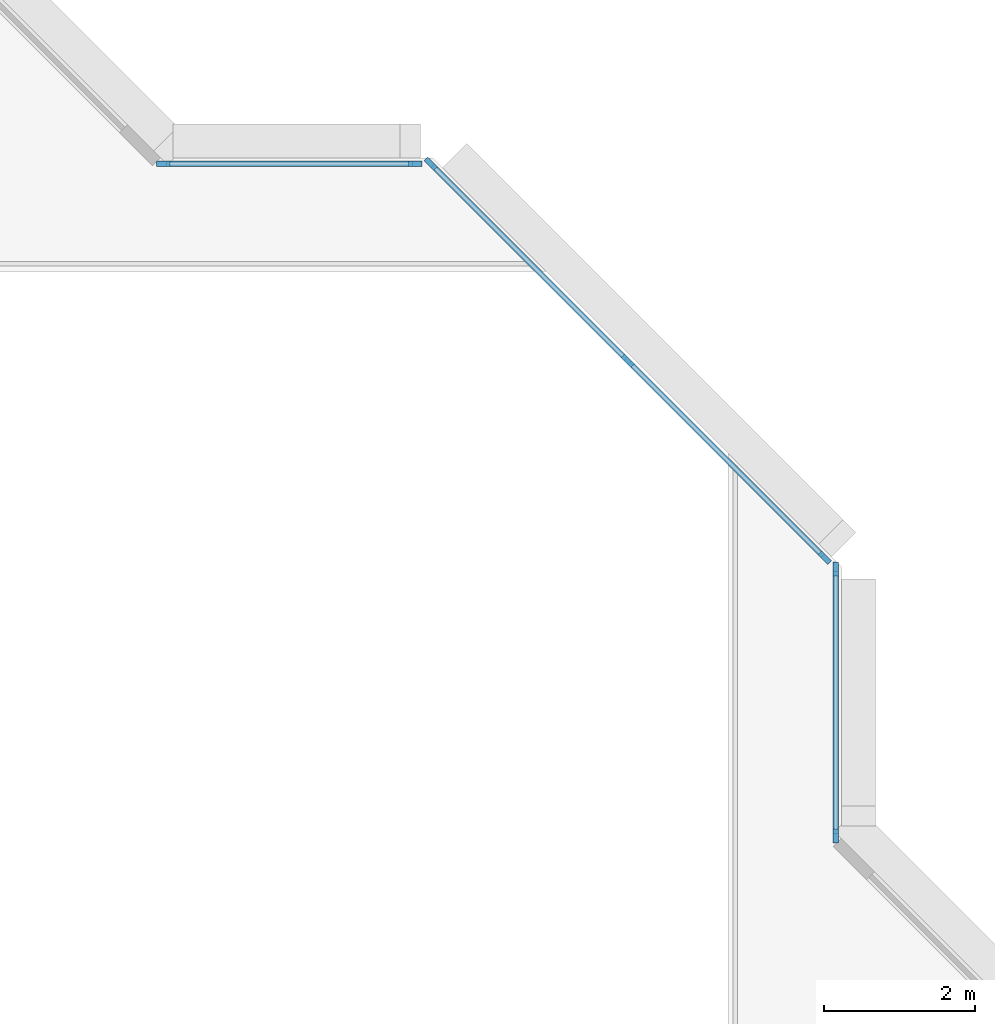
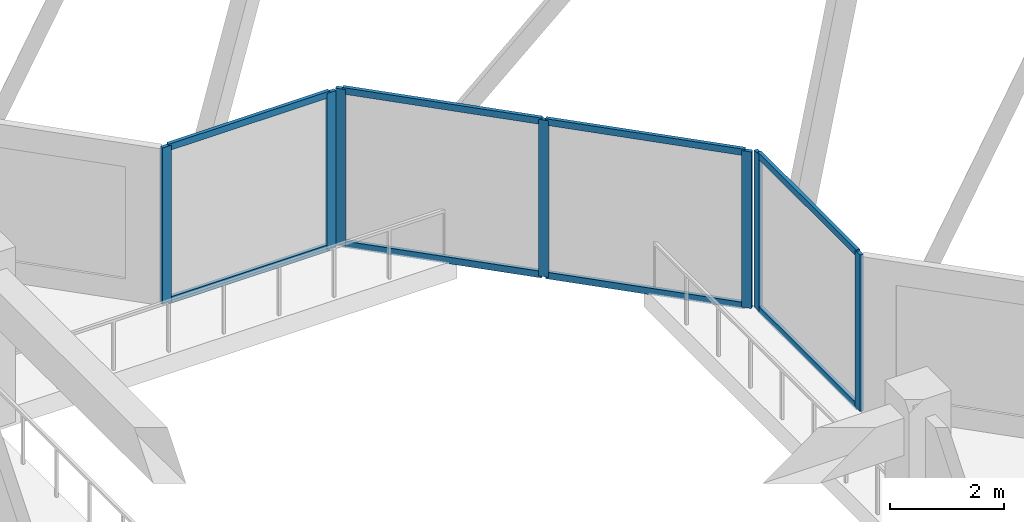
# One storey, part 2 of 14: 15 members, 3 elements without a shape of their own.
"""IFC4 building model written with IfcOpenShell, lengths in metres."""

from ifc_helpers import new_model, si_unit, direction, frame, origin, origin_2d, place, context, subcontext, project, spatial, rectangle, extrude, material, layer, layer_set, material_profile, profile_set, type_object, element, aggregate, save


model = new_model("IFC4")

# Units and contexts
model_context = context("Model", 3, precision=1e-05, world=origin(), true_north=direction((0.0, 1.0)))
body_context = subcontext(model_context, "Body", "Model", "MODEL_VIEW")
ifc_project = project(units=[si_unit("LENGTHUNIT", "METRE"), si_unit("AREAUNIT", "SQUARE_METRE"), si_unit("VOLUMEUNIT", "CUBIC_METRE"), si_unit("PLANEANGLEUNIT", "RADIAN"), si_unit("MASSUNIT", "GRAM", prefix="KILO")], contexts=[model_context])

# Site, building, storey
site_placement = place(None, origin())
site = spatial("IfcSite", under=ifc_project, at=site_placement, CompositionType="ELEMENT")
building_placement = place(site_placement, origin())
building = spatial("IfcBuilding", under=site, at=building_placement, Name="Chenar Terraces", CompositionType="ELEMENT")
storey_placement = place(building_placement, frame((0.0, 0.0, 234.14990234375)))
storey = spatial("IfcBuildingStorey", under=building, at=storey_placement, Name="L55", CompositionType="ELEMENT", Elevation=234.14990234375)

# Curtain wall, members
ifc_material_1 = material(Name="Aluminium framed glazing", Category="aluminium")
ifc_layer = layer(ifc_material_1, 0.14990234375)
ifc_layer_set = layer_set([ifc_layer], Name="Aluminium framed glazing")
curtain_wall_type = type_object("IfcCurtainWallType", Name="Atrium mid-zone curtain wall", PredefinedType="NOTDEFINED", material=ifc_layer_set)
placement = place(storey_placement, origin())
curtain_wall_1 = element("IfcCurtainWall", 1, at=placement, inside=storey, type_object=curtain_wall_type, Name="Atrium mid-zone curtain wall", PredefinedType="NOTDEFINED")
ifc_material_2 = material(Name="Aluminium", Category="aluminium")
ifc_material_profile_1 = material_profile(ifc_material_2, rectangle(XDim=0.070068359375, YDim=0.179931640625, at=origin_2d()), Name="Atrium mid-zone glazing mullion 70 x 180")
ifc_profile_set_1 = profile_set([ifc_material_profile_1], Name="Aluminium")
member_type_1 = type_object("IfcMemberType", Name="Atrium mid-zone glazing mullion 70 x 180", PredefinedType="MULLION", material=ifc_profile_set_1)
member_1_placement = place(storey_placement, frame((37.425048828125, 28.534912109375, 0.0), z_axis=(0.0, 0.0, 1.0), x_axis=(-1.0, 0.0, 0.0)))
member_1 = element("IfcMember", 2, at=member_1_placement, type_object=member_type_1, Name="CW7-1 mullion 1", PredefinedType="MULLION", context=body_context, shape_type="SweptSolid", body=[
    extrude(rectangle(XDim=0.070068359375, YDim=0.179931640625, at=origin_2d()), origin(), (0.0, 0.0, 1.0), 3.35009765625),
])
member_2_placement = place(storey_placement, frame((37.425048828125, 32.06494140625, 0.0), z_axis=(0.0, 0.0, 1.0), x_axis=(-1.0, 0.0, 0.0)))
member_2 = element("IfcMember", 3, at=member_2_placement, type_object=member_type_1, Name="CW7-1 mullion 2", PredefinedType="MULLION", context=body_context, shape_type="SweptSolid", body=[
    extrude(rectangle(XDim=0.070068359375, YDim=0.179931640625, at=origin_2d()), origin(), (0.0, 0.0, 1.0), 3.35009765625),
])

curtain_wall_2 = element("IfcCurtainWall", 4, at=placement, inside=storey, type_object=curtain_wall_type, Name="Atrium mid-zone curtain wall", PredefinedType="NOTDEFINED")
member_3_placement = place(storey_placement, frame((37.28076171875, 32.213134765625, 0.0), z_axis=(0.0, 0.0, 1.0), x_axis=(-0.707106781187, -0.707106781187, 0.0)))
member_3 = element("IfcMember", 5, at=member_3_placement, type_object=member_type_1, Name="CW7-2 mullion 1", PredefinedType="MULLION", context=body_context, shape_type="SweptSolid", body=[
    extrude(rectangle(XDim=0.070068359375, YDim=0.179931640625, at=origin_2d()), origin(), (0.0, 0.0, 1.0), 3.35009765625),
])
member_4_placement = place(storey_placement, frame((34.67626953125, 34.817626953125, 0.0), z_axis=(0.0, 0.0, 1.0), x_axis=(-0.707106781187, -0.707106781187, 0.0)))
member_4 = element("IfcMember", 6, at=member_4_placement, type_object=member_type_1, Name="CW7-2 mullion 2", PredefinedType="MULLION", context=body_context, shape_type="SweptSolid", body=[
    extrude(rectangle(XDim=0.070068359375, YDim=0.179931640625, at=origin_2d()), origin(), (0.0, 0.0, 1.0), 3.35009765625),
])
member_5_placement = place(storey_placement, frame((32.07177734375, 37.42236328125, 0.0), z_axis=(0.0, 0.0, 1.0), x_axis=(-0.707106781187, -0.707106781187, 0.0)))
member_5 = element("IfcMember", 7, at=member_5_placement, type_object=member_type_1, Name="CW7-2 mullion 3", PredefinedType="MULLION", context=body_context, shape_type="SweptSolid", body=[
    extrude(rectangle(XDim=0.070068359375, YDim=0.179931640625, at=origin_2d()), origin(), (0.0, 0.0, 1.0), 3.35009765625),
])

curtain_wall_3 = element("IfcCurtainWall", 8, at=placement, inside=storey, type_object=curtain_wall_type, Name="Atrium mid-zone curtain wall", PredefinedType="NOTDEFINED")
member_6_placement = place(storey_placement, frame((31.864990234375, 37.425048828125, 0.0), z_axis=(0.0, 0.0, 1.0), x_axis=(0.0, -1.0, 0.0)))
member_6 = element("IfcMember", 9, at=member_6_placement, type_object=member_type_1, Name="CW7-3 mullion 1", PredefinedType="MULLION", context=body_context, shape_type="SweptSolid", body=[
    extrude(rectangle(XDim=0.070068359375, YDim=0.179931640625, at=origin_2d()), origin(), (0.0, 0.0, 1.0), 3.35009765625),
])
member_7_placement = place(storey_placement, frame((28.534912109375, 37.425048828125, 0.0), z_axis=(0.0, 0.0, 1.0), x_axis=(0.0, -1.0, 0.0)))
member_7 = element("IfcMember", 10, at=member_7_placement, type_object=member_type_1, Name="CW7-3 mullion 2", PredefinedType="MULLION", context=body_context, shape_type="SweptSolid", body=[
    extrude(rectangle(XDim=0.070068359375, YDim=0.179931640625, at=origin_2d()), origin(), (0.0, 0.0, 1.0), 3.35009765625),
])

# Member
ifc_material_3 = material(Name="Aluminium", Category="aluminium")
ifc_material_profile_2 = material_profile(ifc_material_3, rectangle(XDim=0.070068359375, YDim=0.139892578125, at=origin_2d()), Name="Atrium mid-zone glazing transom 70 x 140")
ifc_profile_set_2 = profile_set([ifc_material_profile_2], Name="Aluminium")
member_type_2 = type_object("IfcMemberType", Name="Atrium mid-zone glazing transom 70 x 140", PredefinedType="USERDEFINED", material=ifc_profile_set_2)
member_8_placement = place(storey_placement, frame((37.425048828125, 28.570068359375, 0.03515625), z_axis=(0.0, 1.0, 0.0), x_axis=(-1.0, 0.0, 0.0)))
member_8 = element("IfcMember", 11, at=member_8_placement, type_object=member_type_2, Name="CW7-1 transom 1.1", ObjectType="TRANSOM", PredefinedType="USERDEFINED", context=body_context, shape_type="SweptSolid", body=[
    extrude(rectangle(XDim=0.070068359375, YDim=0.139892578125, at=origin_2d()), origin(), (0.0, 0.0, 1.0), 3.4599609375),
])

member_9_placement = place(storey_placement, frame((37.425048828125, 28.570068359375, 3.315185546875), z_axis=(0.0, 1.0, 0.0), x_axis=(-1.0, 0.0, 0.0)))
member_9 = element("IfcMember", 12, at=member_9_placement, type_object=member_type_2, Name="CW7-1 transom 1.2", ObjectType="TRANSOM", PredefinedType="USERDEFINED", context=body_context, shape_type="SweptSolid", body=[
    extrude(rectangle(XDim=0.070068359375, YDim=0.139892578125, at=origin_2d()), origin(), (0.0, 0.0, 1.0), 3.4599609375),
])

aggregate(curtain_wall_1, [member_1, member_2, member_8, member_9])

member_10_placement = place(storey_placement, frame((37.256103515625, 32.23779296875, 0.03515625), z_axis=(-0.707106781187, 0.707106781187, 0.0), x_axis=(-0.707106781187, -0.707106781187, 0.0)))
member_10 = element("IfcMember", 13, at=member_10_placement, type_object=member_type_2, Name="CW7-2 transom 1.1", ObjectType="TRANSOM", PredefinedType="USERDEFINED", context=body_context, shape_type="SweptSolid", body=[
    extrude(rectangle(XDim=0.070068359375, YDim=0.139892578125, at=origin_2d()), origin(), (0.0, 0.0, 1.0), 3.613525390625),
])

member_11_placement = place(storey_placement, frame((37.256103515625, 32.23779296875, 3.315185546875), z_axis=(-0.707106781187, 0.707106781187, 0.0), x_axis=(-0.707106781187, -0.707106781187, 0.0)))
member_11 = element("IfcMember", 14, at=member_11_placement, type_object=member_type_2, Name="CW7-2 transom 1.2", ObjectType="TRANSOM", PredefinedType="USERDEFINED", context=body_context, shape_type="SweptSolid", body=[
    extrude(rectangle(XDim=0.070068359375, YDim=0.139892578125, at=origin_2d()), origin(), (0.0, 0.0, 1.0), 3.613525390625),
])

member_12_placement = place(storey_placement, frame((34.651611328125, 34.842529296875, 0.03515625), z_axis=(-0.707140563131, 0.707072997628, 0.0), x_axis=(-0.707072997628, -0.707140563131, 0.0)))
member_12 = element("IfcMember", 15, at=member_12_placement, type_object=member_type_2, Name="CW7-2 transom 2.1", ObjectType="TRANSOM", PredefinedType="USERDEFINED", context=body_context, shape_type="SweptSolid", body=[
    extrude(rectangle(XDim=0.070068359375, YDim=0.139892578125, at=origin_2d()), origin(), (0.0, 0.0, 1.0), 3.61328125),
])

member_13_placement = place(storey_placement, frame((34.651611328125, 34.842529296875, 3.315185546875), z_axis=(-0.707140563131, 0.707072997628, 0.0), x_axis=(-0.707072997628, -0.707140563131, 0.0)))
member_13 = element("IfcMember", 16, at=member_13_placement, type_object=member_type_2, Name="CW7-2 transom 2.2", ObjectType="TRANSOM", PredefinedType="USERDEFINED", context=body_context, shape_type="SweptSolid", body=[
    extrude(rectangle(XDim=0.070068359375, YDim=0.139892578125, at=origin_2d()), origin(), (0.0, 0.0, 1.0), 3.61328125),
])

aggregate(curtain_wall_2, [member_3, member_4, member_5, member_10, member_11, member_12, member_13])

member_14_placement = place(storey_placement, frame((31.830078125, 37.425048828125, 0.03515625), z_axis=(-1.0, 0.0, 0.0), x_axis=(0.0, -1.0, 0.0)))
member_14 = element("IfcMember", 17, at=member_14_placement, type_object=member_type_2, Name="CW7-3 transom 1.1", ObjectType="TRANSOM", PredefinedType="USERDEFINED", context=body_context, shape_type="SweptSolid", body=[
    extrude(rectangle(XDim=0.070068359375, YDim=0.139892578125, at=origin_2d()), origin(), (0.0, 0.0, 1.0), 3.260009765625),
])

member_15_placement = place(storey_placement, frame((31.830078125, 37.425048828125, 3.315185546875), z_axis=(-1.0, 0.0, 0.0), x_axis=(0.0, -1.0, 0.0)))
member_15 = element("IfcMember", 18, at=member_15_placement, type_object=member_type_2, Name="CW7-3 transom 1.2", ObjectType="TRANSOM", PredefinedType="USERDEFINED", context=body_context, shape_type="SweptSolid", body=[
    extrude(rectangle(XDim=0.070068359375, YDim=0.139892578125, at=origin_2d()), origin(), (0.0, 0.0, 1.0), 3.260009765625),
])

aggregate(curtain_wall_3, [member_6, member_7, member_14, member_15])

save(model, "model.ifc")
